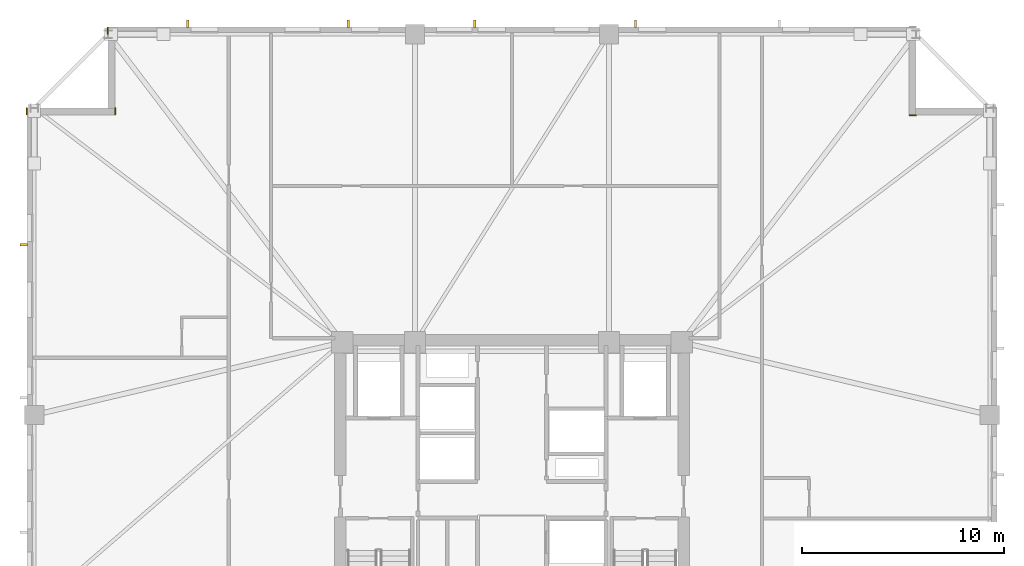
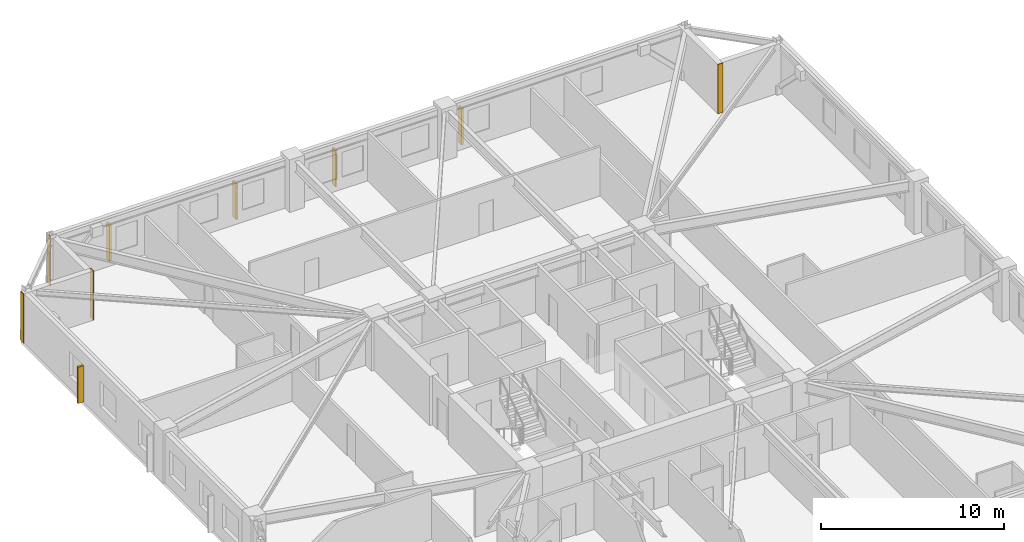
# One storey, part 10 of 11: 5 shading devices, 4 coverings.
"""IFC4 building model written with IfcOpenShell, lengths in metres."""

from ifc_helpers import new_model, si_unit, direction, frame, frame_2d, origin, origin_2d, place, context, subcontext, project, spatial, rectangle, extrude, material, layer, layer_set, type_object, element, save


model = new_model("IFC4")

# Units and contexts
model_context = context("Model", 3, precision=1e-05, world=origin(), true_north=direction((0.0, 1.0)))
body_context = subcontext(model_context, "Body", "Model", "MODEL_VIEW")
ifc_project = project(units=[si_unit("LENGTHUNIT", "METRE"), si_unit("AREAUNIT", "SQUARE_METRE"), si_unit("VOLUMEUNIT", "CUBIC_METRE"), si_unit("PLANEANGLEUNIT", "RADIAN"), si_unit("MASSUNIT", "GRAM", prefix="KILO")], contexts=[model_context])

# Site, building, storey
site_placement = place(None, origin())
site = spatial("IfcSite", under=ifc_project, at=site_placement, CompositionType="ELEMENT")
building_placement = place(site_placement, origin())
building = spatial("IfcBuilding", under=site, at=building_placement, Name="Cairnveth Concourse Tower", CompositionType="ELEMENT")
storey_placement = place(building_placement, frame((0.0, 0.0, 141.0)))
storey = spatial("IfcBuildingStorey", under=building, at=storey_placement, Name="L38", CompositionType="ELEMENT", Elevation=141.0)

# Coverings
ifc_material_1 = material(Name="Dressed Melbourne Bluestone Cladding", Category="masonry")
ifc_layer = layer(ifc_material_1, 0.050048828125)
ifc_layer_set = layer_set([ifc_layer], Name="Dressed Melbourne Bluestone Cladding")
covering_type = type_object("IfcCoveringType", Name="DRESSED BLUESTONE PLINTH CLADDING 50", PredefinedType="CLADDING", material=ifc_layer_set)
for number, where, z_axis, x_axis, name in (
    (1, (27.97998046875, 58.659912109375, 0.0), (0.0, 0.0, 1.0), (0.0, 1.0, 0.0), "Melbourne Bluestone Corner Quoin L38-551"),
    (2, (32.360107421875, 58.659912109375, 0.0), (0.0, 0.0, 1.0), (0.0, 1.0, 0.0), "Melbourne Bluestone Corner Quoin L38-552"),
    (3, (31.97998046875, 62.659912109375, 0.0), (0.0, 0.0, 1.0), (0.0, 1.0, 0.0), "Melbourne Bluestone Corner Quoin L38-553"),
    (4, (71.659912109375, 58.639892578125, 0.0), (0.0, 0.0, 1.0), (1.0, 0.0, 0.0), "Melbourne Bluestone Corner Quoin L38-555"),
):
    element("IfcCovering", number, at=place(storey_placement, frame(where, z_axis=z_axis, x_axis=x_axis)), inside=storey, type_object=covering_type, Name=name, PredefinedType="CLADDING", context=body_context, shape_type="SweptSolid", body=[
        extrude(rectangle(XDim=0.340087890625, YDim=0.050048828125, at=frame_2d((0.169921875, 0.0))), origin(), (0.0, 0.0, 1.0), 3.280029296875),
    ])

# Shading devices
ifc_material_2 = material(Name="Architectural Bronze Anodised Aluminium 6063-T6", Category="aluminium")
shading_device_type = type_object("IfcShadingDeviceType", Name="GOTHIC BRONZE VERTICAL LANCET FIN", PredefinedType="USERDEFINED", material=ifc_material_2)
for number, where, z_axis, x_axis, name in (
    (5, (27.824951171875, 52.22021484375, 0.030029296875), (0.0, 0.0, 1.0), (0.0, 1.0, 0.0), "Gothic Bronze Vertical Fin L38-3-9"),
    (6, (35.94189453125, 63.175048828125, 0.030029296875), (0.0, 0.0, 1.0), (1.0, 0.0, 0.0), "Gothic Bronze Vertical Fin L38-6-1"),
    (7, (43.89892578125, 63.175048828125, 0.030029296875), (0.0, 0.0, 1.0), (1.0, 0.0, 0.0), "Gothic Bronze Vertical Fin L38-6-3"),
    (8, (50.156005859375, 63.175048828125, 0.030029296875), (0.0, 0.0, 1.0), (1.0, 0.0, 0.0), "Gothic Bronze Vertical Fin L38-6-5"),
    (9, (58.113037109375, 63.175048828125, 0.030029296875), (0.0, 0.0, 1.0), (1.0, 0.0, 0.0), "Gothic Bronze Vertical Fin L38-6-7"),
):
    element("IfcShadingDevice", number, at=place(storey_placement, frame(where, z_axis=z_axis, x_axis=x_axis)), inside=storey, type_object=shading_device_type, Name=name, ObjectType="VERTICAL FIN", PredefinedType="USERDEFINED", context=body_context, shape_type="SweptSolid", body=[
        extrude(rectangle(XDim=0.1201171875, YDim=0.360107421875, at=origin_2d()), origin(), (0.0, 0.0, 1.0), 2.419921875),
    ])

save(model, "model.ifc")
